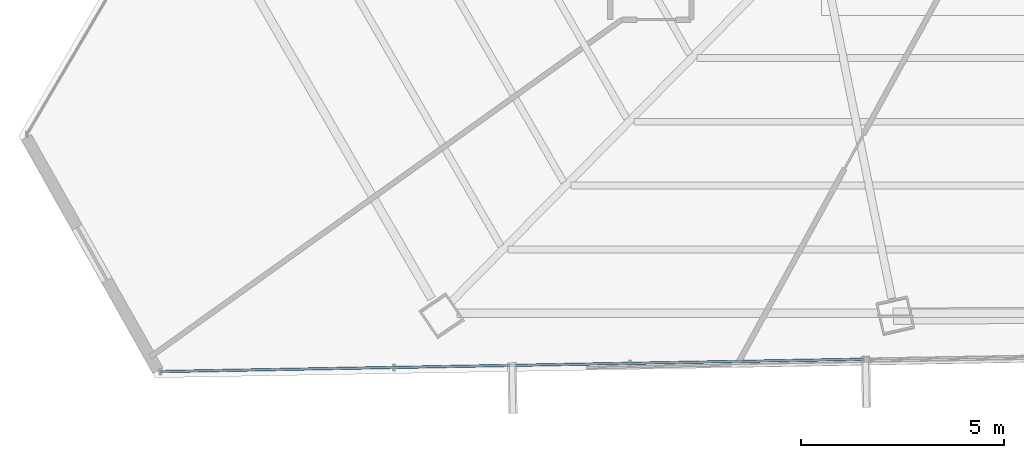
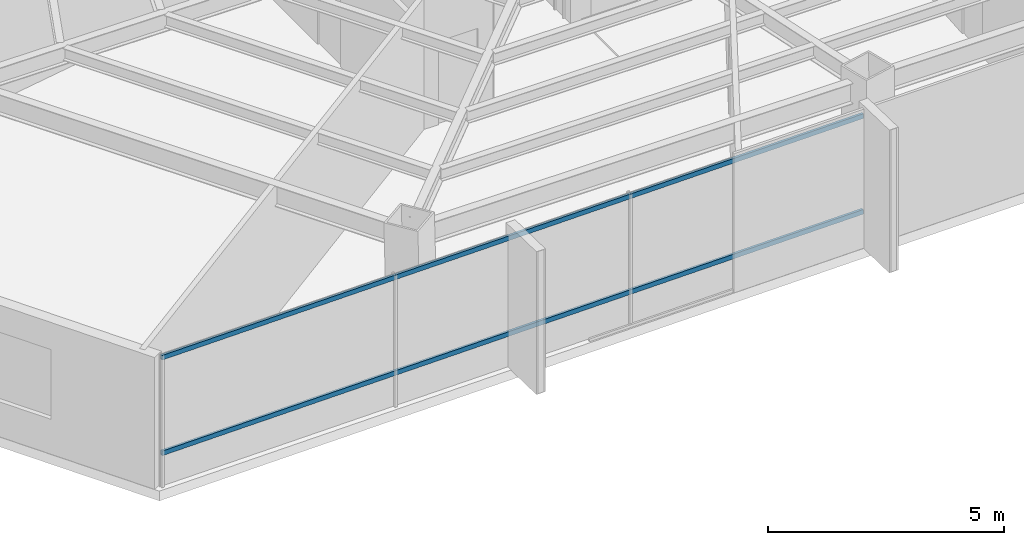
# One storey, part 5 of 42: 2 members, 1 element without a shape of its own.
"""IFC4 building model written with IfcOpenShell, lengths in metres."""

from ifc_helpers import new_model, si_unit, direction, frame, origin, origin_2d, place, context, subcontext, project, spatial, hollow_rectangle, extrude, source, transform, mapped, material, material_profile, profile_set, type_object, type_shapes, element, aggregate, save


model = new_model("IFC4")

# Units and contexts
model_context = context("Model", 3, precision=1e-05, world=origin(), true_north=direction((0.0, 1.0)))
body_context = subcontext(model_context, "Body", "Model", "MODEL_VIEW")
ifc_project = project(units=[si_unit("LENGTHUNIT", "METRE"), si_unit("AREAUNIT", "SQUARE_METRE"), si_unit("VOLUMEUNIT", "CUBIC_METRE"), si_unit("PLANEANGLEUNIT", "RADIAN"), si_unit("MASSUNIT", "GRAM", prefix="KILO")], contexts=[model_context])

# Site, building, storey
site_placement = place(None, origin())
site = spatial("IfcSite", under=ifc_project, at=site_placement, CompositionType="ELEMENT")
building_placement = place(site_placement, origin())
building = spatial("IfcBuilding", under=site, at=building_placement, Name="Caelisora Broadcast Tower", CompositionType="ELEMENT")
storey_placement = place(building_placement, frame((0.0, 0.0, 184.050048828125)))
storey = spatial("IfcBuildingStorey", under=building, at=storey_placement, Name="L48", CompositionType="ELEMENT", Elevation=184.050048828125)

# Curtain wall, members
ifc_material_1 = material(Name="Unitised Aluminium and Low-E Glass Curtain Wall", Category="glass")
curtain_wall_type = type_object("IfcCurtainWallType", Name="CW-Z4", PredefinedType="NOTDEFINED", material=ifc_material_1)
curtain_wall_placement = place(storey_placement, origin())
curtain_wall = element("IfcCurtainWall", 1, at=curtain_wall_placement, inside=storey, type_object=curtain_wall_type, Name="L48 curtain wall CW-Z4", PredefinedType="NOTDEFINED")
ifc_material_2 = material(Name="Aluminium 6063-T6 Anodised Terracotta Bronze", Category="aluminium")
ifc_material_profile = material_profile(ifc_material_2, hollow_rectangle(XDim=0.06005859375, YDim=0.1201171875, WallThickness=0.0029296875, at=origin_2d()), Name="Aluminium 6063-T6 Anodised Terracotta Bronze")
ifc_profile_set = profile_set([ifc_material_profile], Name="Aluminium 6063-T6 Anodised Terracotta Bronze")
member_type = type_object("IfcMemberType", Name="CWT-03", PredefinedType="USERDEFINED", material=ifc_profile_set)
shared_shape = source(origin(), body_context, "Body", "SweptSolid", [
    extrude(hollow_rectangle(XDim=0.06005859375, YDim=0.1201171875, WallThickness=0.0029296875, at=origin_2d()), origin(), (0.0, 0.0, 1.0), 17.30322265625),
])
type_shapes(member_type, [shared_shape])
member_1_placement = place(storey_placement, frame((31.633544921875, 6.84033203125, 0.849853515625), z_axis=(-0.999846194102, -0.017538190865, 0.0), x_axis=(0.017538190865, -0.999846194102, 0.0)))
member_1 = element("IfcMember", 2, at=member_1_placement, type_object=member_type, Name="L48-CW-B07 transom #1", ObjectType="TRANSOM", PredefinedType="USERDEFINED", context=body_context, shape_type="MappedRepresentation", body=[
    mapped(shared_shape, transform((0.0, 0.0, 0.0), scale=1.0)),
])
member_2_placement = place(storey_placement, frame((31.633544921875, 6.84033203125, 3.320068359375), z_axis=(-0.999846194102, -0.017538190865, 0.0), x_axis=(0.017538190865, -0.999846194102, 0.0)))
member_2 = element("IfcMember", 3, at=member_2_placement, type_object=member_type, Name="L48-CW-B07 transom #2", ObjectType="TRANSOM", PredefinedType="USERDEFINED", context=body_context, shape_type="MappedRepresentation", body=[
    mapped(shared_shape, transform((0.0, 0.0, 0.0), scale=1.0)),
])
aggregate(curtain_wall, [member_1, member_2])

save(model, "model.ifc")
